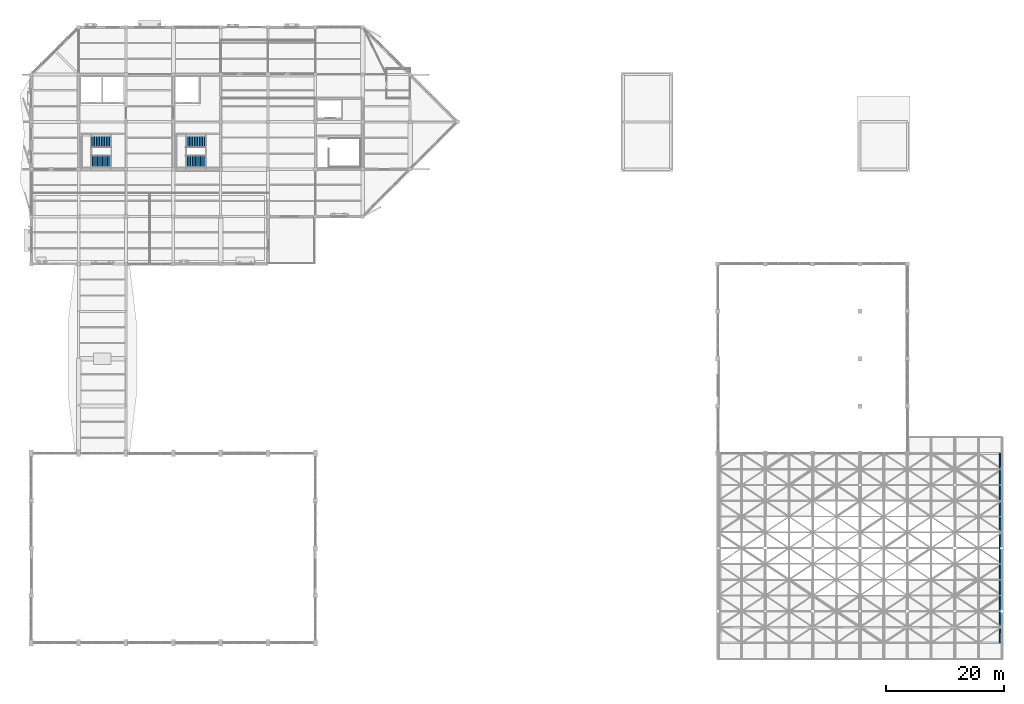
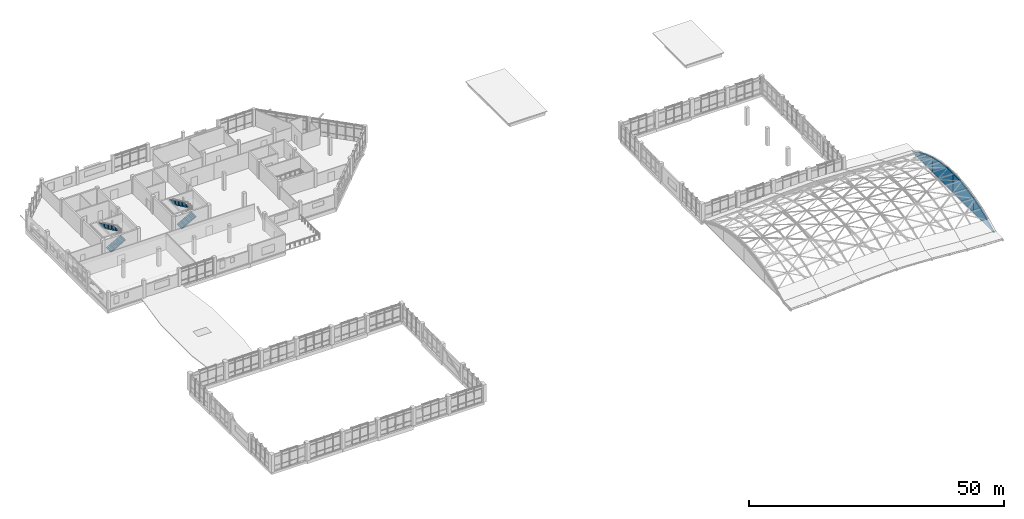
# One storey, part 67 of 72: 4 stair flights, 4 walls, 2 elements without a shape of their own.
"""IFC4 building model written with IfcOpenShell, lengths in metres."""

from ifc_helpers import new_model, si_unit, direction, frame, origin, place, context, subcontext, project, spatial, polyline, outline, extrude, material, layer, layer_set, type_object, element, aggregate, save


model = new_model("IFC4")

# Units and contexts
model_context = context("Model", 3, precision=1e-05, world=origin(), true_north=direction((0.0, 1.0)))
body_context = subcontext(model_context, "Body", "Model", "MODEL_VIEW")
ifc_project = project(units=[si_unit("LENGTHUNIT", "METRE"), si_unit("AREAUNIT", "SQUARE_METRE"), si_unit("VOLUMEUNIT", "CUBIC_METRE"), si_unit("PLANEANGLEUNIT", "RADIAN"), si_unit("MASSUNIT", "GRAM", prefix="KILO")], contexts=[model_context])

# Site, building, storey
site_placement = place(None, origin())
site = spatial("IfcSite", under=ifc_project, at=site_placement, CompositionType="ELEMENT")
building_placement = place(site_placement, origin())
building = spatial("IfcBuilding", under=site, at=building_placement, Name="Tenunan Teduh Sports Hall", CompositionType="ELEMENT")
storey_placement = place(building_placement, frame((0.0, 0.0, 15.0)))
storey = spatial("IfcBuildingStorey", under=building, at=storey_placement, Name="L03", CompositionType="ELEMENT", Elevation=15.0)

# Walls
ifc_material_1 = material(Name="Precast concrete C40/50", Category="concrete")
ifc_layer = layer(ifc_material_1, 0.25)
ifc_layer_set = layer_set([ifc_layer], Name="Precast concrete C40/50")
wall_type = type_object("IfcWallType", Name="WL-EXT-250", PredefinedType="SOLIDWALL", material=ifc_layer_set)
wall_1_placement = place(storey_placement, frame((169.646484375, 14.0, -0.27001953125), z_axis=(0.0, 0.0, 1.0), x_axis=(0.0, 1.0, 0.0)))
element("IfcWall", 1, at=wall_1_placement, inside=storey, type_object=wall_type, Name="WL-EXT-L03-082", PredefinedType="SOLIDWALL", context=body_context, shape_type="SweptSolid", body=[
    extrude(outline(polyline([(0.0, 0.0), (8.0, 0.0), (8.0, 3.470947265625), (6.6669921875, 3.072021484375), (5.3330078125, 2.614990234375), (4.0, 2.095947265625), (2.6669921875, 1.513916015625), (1.3330078125, 0.873046875), (0.0, 0.169921875), (0.0, 0.0)])), frame((0.0, 0.125, 0.0), z_axis=(0.0, -1.0, 0.0), x_axis=(1.0, 0.0, 0.0)), (0.0, 0.0, 1.0), 0.25),
])
wall_2_placement = place(storey_placement, frame((169.646484375, 22.0, -0.27001953125), z_axis=(0.0, 0.0, 1.0), x_axis=(0.0, 1.0, 0.0)))
element("IfcWall", 2, at=wall_2_placement, inside=storey, type_object=wall_type, Name="WL-EXT-L03-083", PredefinedType="SOLIDWALL", context=body_context, shape_type="SweptSolid", body=[
    extrude(outline(polyline([(0.0, 0.0), (8.0, 0.0), (8.0, 4.568115234375), (6.6669921875, 4.541015625), (5.3330078125, 4.447021484375), (4.0, 4.294921875), (2.6669921875, 4.080078125), (1.3330078125, 3.80712890625), (0.0, 3.470947265625), (0.0, 0.0)])), frame((0.0, 0.125, 0.0), z_axis=(0.0, -1.0, 0.0), x_axis=(1.0, 0.0, 0.0)), (0.0, 0.0, 1.0), 0.25),
])
wall_3_placement = place(storey_placement, frame((169.646484375, 30.0, -0.27001953125), z_axis=(0.0, 0.0, 1.0), x_axis=(0.0, 1.0, 0.0)))
element("IfcWall", 3, at=wall_3_placement, inside=storey, type_object=wall_type, Name="WL-EXT-L03-084", PredefinedType="SOLIDWALL", context=body_context, shape_type="SweptSolid", body=[
    extrude(outline(polyline([(0.0, 0.0), (8.0, 0.0), (8.0, 3.470947265625), (6.6669921875, 3.80712890625), (5.3330078125, 4.080078125), (4.0, 4.294921875), (2.6669921875, 4.447021484375), (1.3330078125, 4.541015625), (0.0, 4.568115234375), (0.0, 0.0)])), frame((0.0, 0.125, 0.0), z_axis=(0.0, -1.0, 0.0), x_axis=(1.0, 0.0, 0.0)), (0.0, 0.0, 1.0), 0.25),
])
wall_4_placement = place(storey_placement, frame((169.646484375, 38.0, -0.27001953125), z_axis=(0.0, 0.0, 1.0), x_axis=(0.0, 1.0, 0.0)))
element("IfcWall", 4, at=wall_4_placement, inside=storey, type_object=wall_type, Name="WL-EXT-L03-085", PredefinedType="SOLIDWALL", context=body_context, shape_type="SweptSolid", body=[
    extrude(outline(polyline([(0.0, 0.0), (8.0, 0.0), (8.0, 0.169921875), (6.6669921875, 0.873046875), (5.3330078125, 1.513916015625), (4.0, 2.095947265625), (2.6669921875, 2.614990234375), (1.3330078125, 3.072021484375), (0.0, 3.470947265625), (0.0, 0.0)])), frame((0.0, 0.125, 0.0), z_axis=(0.0, -1.0, 0.0), x_axis=(1.0, 0.0, 0.0)), (0.0, 0.0, 1.0), 0.25),
])

# Stair, stair flights
ifc_material_2 = material(Name="Precast concrete C40/50", Category="concrete")
stair_type = type_object("IfcStairType", Name="STR-CORE-54", PredefinedType="HALF_TURN_STAIR", material=ifc_material_2)
stair_1_placement = place(storey_placement, origin())
stair_1 = element("IfcStair", 5, at=stair_1_placement, inside=storey, type_object=stair_type, Name="STR-W1-L03", PredefinedType="HALF_TURN_STAIR")
ifc_material_3 = material(Name="Precast concrete C40/50", Category="concrete")
stair_flight_type = type_object("IfcStairFlightType", Name="SFL-ST-T01", PredefinedType="STRAIGHT", material=ifc_material_3)
stair_flight_1_placement = place(storey_placement, frame((16.080078125, 95.409912109375, 0.0), z_axis=(0.0, 0.0, 1.0), x_axis=(1.0, 0.0, 0.0)))
stair_flight_1 = element("IfcStairFlight", 6, at=stair_flight_1_placement, type_object=stair_flight_type, Name="ST-05 flight 1", NumberOfRisers=13, NumberOfTreads=12, PredefinedType="STRAIGHT", RiserHeight=0.16154, TreadLength=0.28, context=body_context, shape_type="SweptSolid", body=[
    extrude(outline(polyline([(0.0, 0.0), (0.0, 0.16162109375), (0.280029296875, 0.16162109375), (0.280029296875, 0.322998046875), (0.56005859375, 0.322998046875), (0.56005859375, 0.484619140625), (0.840087890625, 0.484619140625), (0.840087890625, 0.646240234375), (1.1201171875, 0.646240234375), (1.1201171875, 0.8076171875), (1.39990234375, 0.8076171875), (1.39990234375, 0.96923828125), (1.679931640625, 0.96923828125), (1.679931640625, 1.130859375), (1.9599609375, 1.130859375), (1.9599609375, 1.292236328125), (2.239990234375, 1.292236328125), (2.239990234375, 1.453857421875), (2.52001953125, 1.453857421875), (2.52001953125, 1.615478515625), (2.800048828125, 1.615478515625), (2.800048828125, 1.77685546875), (3.080078125, 1.77685546875), (3.080078125, 1.9384765625), (3.360107421875, 1.9384765625), (3.360107421875, 2.10009765625), (3.360107421875, 1.730712890625), (0.360107421875, 0.0), (0.0, 0.0)])), frame((0.0, 0.93017578125, 0.0), z_axis=(0.0, -1.0, 0.0), x_axis=(1.0, 0.0, 0.0)), (0.0, 0.0, 1.0), 1.860107421875),
])
stair_flight_2_placement = place(storey_placement, frame((19.52001953125, 98.590087890625, 2.10009765625), z_axis=(0.0, 0.0, 1.0), x_axis=(-1.0, 0.0, 0.0)))
stair_flight_2 = element("IfcStairFlight", 7, at=stair_flight_2_placement, type_object=stair_flight_type, Name="ST-05 flight 2", NumberOfRisers=13, NumberOfTreads=12, PredefinedType="STRAIGHT", RiserHeight=0.16154, TreadLength=0.28, context=body_context, shape_type="SweptSolid", body=[
    extrude(outline(polyline([(0.0, 0.0), (0.0, 0.16162109375), (0.280029296875, 0.16162109375), (0.280029296875, 0.322998046875), (0.56005859375, 0.322998046875), (0.56005859375, 0.484619140625), (0.840087890625, 0.484619140625), (0.840087890625, 0.646240234375), (1.1201171875, 0.646240234375), (1.1201171875, 0.8076171875), (1.39990234375, 0.8076171875), (1.39990234375, 0.96923828125), (1.679931640625, 0.96923828125), (1.679931640625, 1.130859375), (1.9599609375, 1.130859375), (1.9599609375, 1.292236328125), (2.239990234375, 1.292236328125), (2.239990234375, 1.453857421875), (2.52001953125, 1.453857421875), (2.52001953125, 1.615478515625), (2.800048828125, 1.615478515625), (2.800048828125, 1.77685546875), (3.080078125, 1.77685546875), (3.080078125, 1.9384765625), (3.360107421875, 1.9384765625), (3.360107421875, 2.10009765625), (3.360107421875, 1.730712890625), (0.360107421875, 0.0), (0.0, 0.0)])), frame((0.0, 0.93017578125, 0.0), z_axis=(0.0, -1.0, 0.0), x_axis=(1.0, 0.0, 0.0)), (0.0, 0.0, 1.0), 1.860107421875),
])
aggregate(stair_1, [stair_flight_1, stair_flight_2])

stair_2_placement = place(storey_placement, origin())
stair_2 = element("IfcStair", 8, at=stair_2_placement, inside=storey, type_object=stair_type, Name="STR-W2-L03", PredefinedType="HALF_TURN_STAIR")
stair_flight_3_placement = place(storey_placement, frame((32.080078125, 95.409912109375, 0.0), z_axis=(0.0, 0.0, 1.0), x_axis=(1.0, 0.0, 0.0)))
stair_flight_3 = element("IfcStairFlight", 9, at=stair_flight_3_placement, type_object=stair_flight_type, Name="ST-10 flight 1", NumberOfRisers=13, NumberOfTreads=12, PredefinedType="STRAIGHT", RiserHeight=0.16154, TreadLength=0.28, context=body_context, shape_type="SweptSolid", body=[
    extrude(outline(polyline([(0.0, 0.0), (0.0, 0.16162109375), (0.280029296875, 0.16162109375), (0.280029296875, 0.322998046875), (0.56005859375, 0.322998046875), (0.56005859375, 0.484619140625), (0.840087890625, 0.484619140625), (0.840087890625, 0.646240234375), (1.1201171875, 0.646240234375), (1.1201171875, 0.8076171875), (1.39990234375, 0.8076171875), (1.39990234375, 0.96923828125), (1.679931640625, 0.96923828125), (1.679931640625, 1.130859375), (1.9599609375, 1.130859375), (1.9599609375, 1.292236328125), (2.239990234375, 1.292236328125), (2.239990234375, 1.453857421875), (2.52001953125, 1.453857421875), (2.52001953125, 1.615478515625), (2.800048828125, 1.615478515625), (2.800048828125, 1.77685546875), (3.080078125, 1.77685546875), (3.080078125, 1.9384765625), (3.360107421875, 1.9384765625), (3.360107421875, 2.10009765625), (3.360107421875, 1.730712890625), (0.360107421875, 0.0), (0.0, 0.0)])), frame((0.0, 0.93017578125, 0.0), z_axis=(0.0, -1.0, 0.0), x_axis=(1.0, 0.0, 0.0)), (0.0, 0.0, 1.0), 1.860107421875),
])
stair_flight_4_placement = place(storey_placement, frame((35.52001953125, 98.590087890625, 2.10009765625), z_axis=(0.0, 0.0, 1.0), x_axis=(-1.0, 0.0, 0.0)))
stair_flight_4 = element("IfcStairFlight", 10, at=stair_flight_4_placement, type_object=stair_flight_type, Name="ST-10 flight 2", NumberOfRisers=13, NumberOfTreads=12, PredefinedType="STRAIGHT", RiserHeight=0.16154, TreadLength=0.28, context=body_context, shape_type="SweptSolid", body=[
    extrude(outline(polyline([(0.0, 0.0), (0.0, 0.16162109375), (0.280029296875, 0.16162109375), (0.280029296875, 0.322998046875), (0.56005859375, 0.322998046875), (0.56005859375, 0.484619140625), (0.840087890625, 0.484619140625), (0.840087890625, 0.646240234375), (1.1201171875, 0.646240234375), (1.1201171875, 0.8076171875), (1.39990234375, 0.8076171875), (1.39990234375, 0.96923828125), (1.679931640625, 0.96923828125), (1.679931640625, 1.130859375), (1.9599609375, 1.130859375), (1.9599609375, 1.292236328125), (2.239990234375, 1.292236328125), (2.239990234375, 1.453857421875), (2.52001953125, 1.453857421875), (2.52001953125, 1.615478515625), (2.800048828125, 1.615478515625), (2.800048828125, 1.77685546875), (3.080078125, 1.77685546875), (3.080078125, 1.9384765625), (3.360107421875, 1.9384765625), (3.360107421875, 2.10009765625), (3.360107421875, 1.730712890625), (0.360107421875, 0.0), (0.0, 0.0)])), frame((0.0, 0.93017578125, 0.0), z_axis=(0.0, -1.0, 0.0), x_axis=(1.0, 0.0, 0.0)), (0.0, 0.0, 1.0), 1.860107421875),
])
aggregate(stair_2, [stair_flight_3, stair_flight_4])

save(model, "model.ifc")
